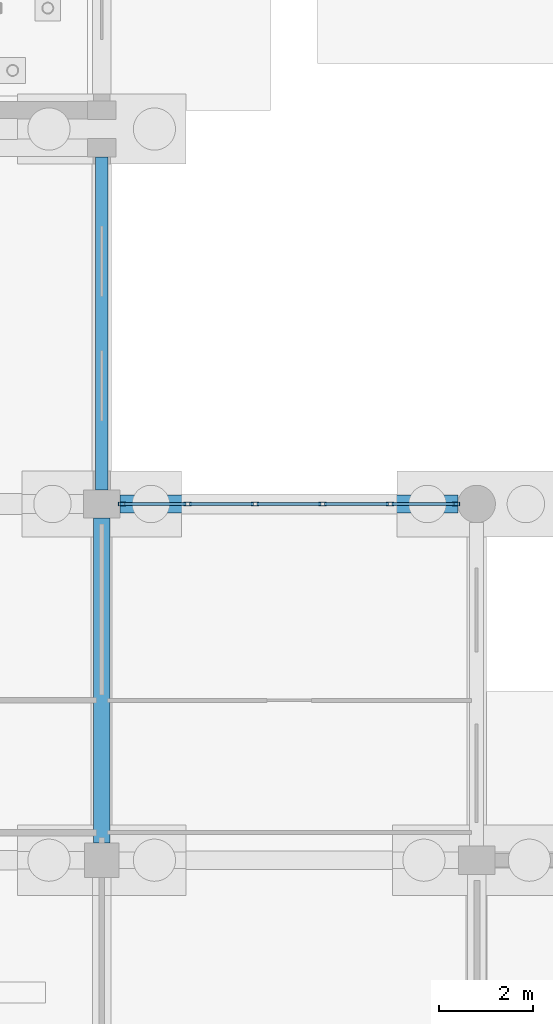
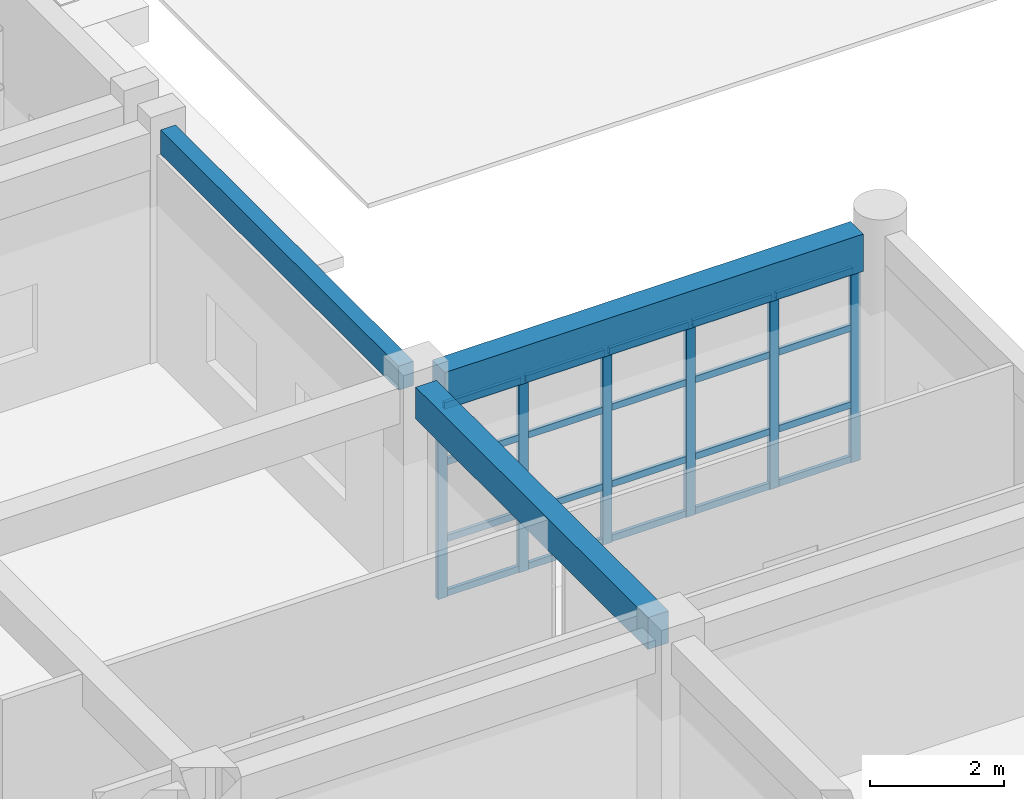
# One storey, part 54 of 166: 26 members, 3 beams, 1 element without a shape of its own.
"""IFC4 building model written with IfcOpenShell, lengths in metres."""

import ifcopenshell
import ifcopenshell.guid

model = None  # the IFC model being written
_history = None  # IfcOwnerHistory: only IFC2X3 demands one
_inside = {}  # id of a spatial element -> (the spatial element, [elements in it])
_under = {}  # id of a project, library or spatial element -> (it, [spatial elements below it])
_declared = {}  # id of a project -> (the project, [libraries it declares])
_typed = {}  # id of a type object -> (the type object, [elements of that type])
_made_of = {}  # id of a material, layer set ... -> (it, [elements and type objects made of it])


def new_model(schema):
    """Start an empty IFC model of exactly this schema.

    Asked for "IFC4X3", IfcOpenShell would pick the latest addendum, in which some entities
    have other attributes; the version numbers below select the first issue.
    IFC2X3 requires an IfcOwnerHistory on every rooted entity: one is made here for all.
    """
    global model, _history
    if schema == "IFC4X3":
        model = ifcopenshell.file(schema_version=(4, 3, 0, 0))
    else:
        model = ifcopenshell.file(schema=schema)
    _inside.clear()
    _under.clear()
    _declared.clear()
    _typed.clear()
    _made_of.clear()
    _history = None
    if model.schema == "IFC2X3":
        org = make("IfcOrganization", Name="unknown")
        user = make(
            "IfcPersonAndOrganization",
            ThePerson=make("IfcPerson", FamilyName="unknown"),
            TheOrganization=org,
        )
        app = make(
            "IfcApplication",
            ApplicationDeveloper=org,
            Version="unknown",
            ApplicationFullName="unknown",
            ApplicationIdentifier="unknown",
        )
        _history = make(
            "IfcOwnerHistory",
            OwningUser=user,
            OwningApplication=app,
            ChangeAction="ADDED",
            CreationDate=0,
        )
    return model


def make(cls, **values):
    """One entity of the class cls with the attributes given. An attribute that is None is left unset."""
    return model.create_entity(
        cls, **{name: value for name, value in values.items() if value is not None}
    )


def rooted(cls, **values):
    """An entity with a GlobalId (a new one), such as an element, a storey or a relation."""
    return make(cls, GlobalId=ifcopenshell.guid.new(), OwnerHistory=_history, **values)


def si_unit(unit_type, name, prefix=None):
    """IfcSIUnit, for example si_unit("LENGTHUNIT", "METRE", prefix="MILLI")."""
    return make("IfcSIUnit", UnitType=unit_type, Prefix=prefix, Name=name)


def assignment(units):
    """IfcUnitAssignment: the units of a project."""
    return None if units is None else make("IfcUnitAssignment", Units=units)


def point(xyz):
    """IfcCartesianPoint."""
    return None if xyz is None else make("IfcCartesianPoint", Coordinates=xyz)


def direction(xyz):
    """IfcDirection."""
    return None if xyz is None else make("IfcDirection", DirectionRatios=xyz)


def frame(location, z_axis=None, x_axis=None):
    """IfcAxis2Placement3D, a coordinate frame: its origin and axes. An axis left out is left unset."""
    return make(
        "IfcAxis2Placement3D",
        Location=point(location),
        Axis=direction(z_axis),
        RefDirection=direction(x_axis),
    )


def frame_2d(location, x_axis=None):
    """IfcAxis2Placement2D, a coordinate frame in the plane: its origin and x axis."""
    return make(
        "IfcAxis2Placement2D", Location=point(location), RefDirection=direction(x_axis)
    )


def origin():
    """The frame at (0, 0, 0) with its axes left unset."""
    return frame((0.0, 0.0, 0.0))


def origin_2d():
    """The frame at (0, 0) in the plane with its x axis left unset."""
    return frame_2d((0.0, 0.0))


def place(relative_to, where):
    """IfcLocalPlacement: puts the frame where relative to a parent placement (None: the world)."""
    return make(
        "IfcLocalPlacement", PlacementRelTo=relative_to, RelativePlacement=where
    )


def context(
    kind, dimensions, precision=None, world=None, true_north=None, identifier=None
):
    """IfcGeometricRepresentationContext, for example the 3D "Model" context."""
    return make(
        "IfcGeometricRepresentationContext",
        ContextIdentifier=identifier,
        ContextType=kind,
        CoordinateSpaceDimension=dimensions,
        Precision=precision,
        WorldCoordinateSystem=world,
        TrueNorth=true_north,
    )


def subcontext(parent, identifier, kind, view, scale=None):
    """IfcGeometricRepresentationSubContext, for example "Body" below "Model"."""
    return make(
        "IfcGeometricRepresentationSubContext",
        ContextIdentifier=identifier,
        ContextType=kind,
        ParentContext=parent,
        TargetScale=scale,
        TargetView=view,
    )


def project(units=None, contexts=None):
    """IfcProject with its units and contexts."""
    return rooted(
        "IfcProject",
        Name="project",
        RepresentationContexts=contexts,
        UnitsInContext=assignment(units),
    )


def spatial(cls, under=None, at=None, **own):
    """A site, building, storey or space (cls), placed at a placement, below another one or the project."""
    s = rooted(cls, ObjectPlacement=at, **own)
    if under is not None:
        _under.setdefault(under.id(), (under, []))[1].append(s)
    return s


def profile(cls, at=None, kind="AREA", **sizes):
    """A parametric profile (cls). Its sizes go by their IFC names, for example OverallWidth=200.0."""
    return make(cls, ProfileType=kind, Position=at, **sizes)


def rectangle(**sizes):
    """IfcRectangleProfileDef."""
    return profile("IfcRectangleProfileDef", **sizes)


def hollow_rectangle(**sizes):
    """IfcRectangleHollowProfileDef."""
    return profile("IfcRectangleHollowProfileDef", **sizes)


def extrude(swept, where, along, depth):
    """IfcExtrudedAreaSolid: the profile swept, set in the frame where, extruded along a direction by depth."""
    return make(
        "IfcExtrudedAreaSolid",
        SweptArea=swept,
        Position=where,
        ExtrudedDirection=direction(along),
        Depth=depth,
    )


def shape(context_of_items, identifier, shape_type, items):
    """IfcShapeRepresentation: the items that make up one representation, for example the "Body"."""
    return make(
        "IfcShapeRepresentation",
        ContextOfItems=context_of_items,
        RepresentationIdentifier=identifier,
        RepresentationType=shape_type,
        Items=items,
    )


def material(Name=None, Category=None):
    """IfcMaterial."""
    return make("IfcMaterial", Name=Name, Category=Category)


def material_profile(
    of_material, cross_section, Name=None, Category=None, Priority=None
):
    """IfcMaterialProfile: a cross section and its material."""
    return make(
        "IfcMaterialProfile",
        Name=Name,
        Material=of_material,
        Profile=cross_section,
        Priority=Priority,
        Category=Category,
    )


def profile_set(profiles, Name=None, composite=None):
    """IfcMaterialProfileSet."""
    return make(
        "IfcMaterialProfileSet",
        Name=Name,
        MaterialProfiles=profiles,
        CompositeProfile=composite,
    )


def made_of(thing, what):
    """Note that an element or type object is made of a material, layer set ...; save() writes the relation."""
    if what is not None:
        _made_of.setdefault(what.id(), (what, []))[1].append(thing)
    return thing


def type_object(cls, material=None, **own):
    """A type object (cls), such as IfcWallType, which elements share."""
    return made_of(rooted(cls, **own), material)


def element(
    cls,
    number,
    at=None,
    inside=None,
    cuts=None,
    type_object=None,
    material=None,
    context=None,
    identifier="Body",
    shape_type=None,
    held_by="IfcProductDefinitionShape",
    body=None,
    shapes=None,
    **own,
):
    """One element of the class cls, such as IfcWall. Its Tag is "e" and its number.

    at: its placement. inside: the storey or other place that contains it. cuts: it is an
    opening in that element (IfcRelVoidsElement). A single representation is given by context,
    identifier, shape_type and body (its items); several are given by shapes. held_by: the class
    of the entity that holds the representations. save() writes the other relations.
    """
    e = rooted(cls, Tag="e%d" % number, ObjectPlacement=at, **own)
    if body is not None:
        shapes = [shape(context, identifier, shape_type, body)]
    if shapes is not None:
        e.Representation = make(held_by, Representations=shapes)
    if inside is not None:
        _inside.setdefault(inside.id(), (inside, []))[1].append(e)
    if cuts is not None:
        rooted(
            "IfcRelVoidsElement", RelatingBuildingElement=cuts, RelatedOpeningElement=e
        )
    if type_object is not None:
        _typed.setdefault(type_object.id(), (type_object, []))[1].append(e)
    return made_of(e, material)


def aggregate(whole, parts):
    """IfcRelAggregates: a whole, such as a stair, and the parts it consists of."""
    return rooted("IfcRelAggregates", RelatingObject=whole, RelatedObjects=parts)


def save(model, path):
    """Write the relations noted so far, then the file.

    IfcRelAggregates (storeys below a building ...), IfcRelContainedInSpatialStructure (elements
    in a storey), IfcRelDefinesByType, IfcRelAssociatesMaterial and IfcRelDeclares: one each for
    every whole, place, type object, material and project.
    """
    for whole, parts in _under.values():
        aggregate(whole, parts)
    for where, things in _inside.values():
        rooted(
            "IfcRelContainedInSpatialStructure",
            RelatedElements=things,
            RelatingStructure=where,
        )
    for kind, things in _typed.values():
        rooted("IfcRelDefinesByType", RelatedObjects=things, RelatingType=kind)
    for what, things in _made_of.values():
        rooted("IfcRelAssociatesMaterial", RelatedObjects=things, RelatingMaterial=what)
    for by, libraries in _declared.values():
        rooted("IfcRelDeclares", RelatingContext=by, RelatedDefinitions=libraries)
    model.write(path)


model = new_model("IFC4")

# Units and contexts
model_context = context("Model", 3, precision=1e-05, world=origin(), true_north=direction((0.0, 1.0)))
body_context = subcontext(model_context, "Body", "Model", "MODEL_VIEW")
ifc_project = project(units=[si_unit("LENGTHUNIT", "METRE"), si_unit("AREAUNIT", "SQUARE_METRE"), si_unit("VOLUMEUNIT", "CUBIC_METRE"), si_unit("PLANEANGLEUNIT", "RADIAN"), si_unit("MASSUNIT", "GRAM", prefix="KILO")], contexts=[model_context])

# Site, building, storey
site_placement = place(None, origin())
site = spatial("IfcSite", under=ifc_project, at=site_placement, CompositionType="ELEMENT")
building_placement = place(site_placement, origin())
building = spatial("IfcBuilding", under=site, at=building_placement, Name="Kharva Crest Polytechnic", CompositionType="ELEMENT")
storey_placement = place(building_placement, origin())
storey = spatial("IfcBuildingStorey", under=building, at=storey_placement, Name="L00", CompositionType="ELEMENT", Elevation=0.0)

# Beam
ifc_material_1 = material(Name="Concrete C35/45", Category="concrete")
ifc_material_profile_1 = material_profile(ifc_material_1, rectangle(XDim=0.360107421875, YDim=0.580078125, at=origin_2d()), Name="RECT 360 X 580")
ifc_profile_set_1 = profile_set([ifc_material_profile_1], Name="Concrete C35/45")
beam_type_1 = type_object("IfcBeamType", Name="BM-RC-360X580", PredefinedType="BEAM", material=ifc_profile_set_1)
beam_1_placement = place(storey_placement, frame((48.0, 23.169921875, 3.929931640625), z_axis=(0.0, 1.0, 0.0), x_axis=(-1.0, 0.0, 0.0)))
element("IfcBeam", 1, at=beam_1_placement, inside=storey, type_object=beam_type_1, Name="L00 Girder 7/D-E", PredefinedType="BEAM", context=body_context, shape_type="SweptSolid", body=[
    extrude(rectangle(XDim=0.360107421875, YDim=0.580078125, at=origin_2d()), origin(), (0.0, 0.0, 1.0), 6.93017578125),
])

# Curtain wall, members
ifc_material_2 = material(Name="Tempered insulated glass", Category="glass")
curtain_wall_type = type_object("IfcCurtainWallType", Name="CW-SYS-COURT", PredefinedType="USERDEFINED", material=ifc_material_2)
curtain_wall_placement = place(storey_placement, origin())
curtain_wall = element("IfcCurtainWall", 2, at=curtain_wall_placement, inside=storey, type_object=curtain_wall_type, Name="L00 Glazed Curtain Wall CW-001", ObjectType="CURTAIN WALL", PredefinedType="USERDEFINED")
ifc_material_3 = material(Name="Steel S355", Category="steel")
ifc_material_profile_2 = material_profile(ifc_material_3, hollow_rectangle(XDim=0.080078125, YDim=0.159912109375, WallThickness=0.0048828125, at=origin_2d()), Name="RHS 160X80X5.0")
ifc_profile_set_2 = profile_set([ifc_material_profile_2], Name="Steel S355")
member_type_1 = type_object("IfcMemberType", Name="CWM-RHS160X80", PredefinedType="MULLION", material=ifc_profile_set_2)
member_1_placement = place(storey_placement, frame((55.554931640625, 30.39990234375, 0.0), z_axis=(0.0, 0.0, 1.0), x_axis=(0.0, -1.0, 0.0)))
member_1 = element("IfcMember", 3, at=member_1_placement, type_object=member_type_1, Name="CW-001 mullion 1", PredefinedType="MULLION", context=body_context, shape_type="SweptSolid", body=[
    extrude(hollow_rectangle(XDim=0.080078125, YDim=0.159912109375, WallThickness=0.0048828125, at=origin_2d()), origin(), (0.0, 0.0, 1.0), 3.5400390625),
])
member_2_placement = place(storey_placement, frame((54.155029296875, 30.39990234375, 0.0), z_axis=(0.0, 0.0, 1.0), x_axis=(0.0, -1.0, 0.0)))
member_2 = element("IfcMember", 4, at=member_2_placement, type_object=member_type_1, Name="CW-001 mullion 2", PredefinedType="MULLION", context=body_context, shape_type="SweptSolid", body=[
    extrude(hollow_rectangle(XDim=0.080078125, YDim=0.159912109375, WallThickness=0.0048828125, at=origin_2d()), origin(), (0.0, 0.0, 1.0), 3.5400390625),
])
member_3_placement = place(storey_placement, frame((52.715087890625, 30.39990234375, 0.0), z_axis=(0.0, 0.0, 1.0), x_axis=(0.0, -1.0, 0.0)))
member_3 = element("IfcMember", 5, at=member_3_placement, type_object=member_type_1, Name="CW-001 mullion 3", PredefinedType="MULLION", context=body_context, shape_type="SweptSolid", body=[
    extrude(hollow_rectangle(XDim=0.080078125, YDim=0.159912109375, WallThickness=0.0048828125, at=origin_2d()), origin(), (0.0, 0.0, 1.0), 3.5400390625),
])
member_4_placement = place(storey_placement, frame((51.27490234375, 30.39990234375, 0.0), z_axis=(0.0, 0.0, 1.0), x_axis=(0.0, -1.0, 0.0)))
member_4 = element("IfcMember", 6, at=member_4_placement, type_object=member_type_1, Name="CW-001 mullion 4", PredefinedType="MULLION", context=body_context, shape_type="SweptSolid", body=[
    extrude(hollow_rectangle(XDim=0.080078125, YDim=0.159912109375, WallThickness=0.0048828125, at=origin_2d()), origin(), (0.0, 0.0, 1.0), 3.5400390625),
])
member_5_placement = place(storey_placement, frame((49.8349609375, 30.39990234375, 0.0), z_axis=(0.0, 0.0, 1.0), x_axis=(0.0, -1.0, 0.0)))
member_5 = element("IfcMember", 7, at=member_5_placement, type_object=member_type_1, Name="CW-001 mullion 5", PredefinedType="MULLION", context=body_context, shape_type="SweptSolid", body=[
    extrude(hollow_rectangle(XDim=0.080078125, YDim=0.159912109375, WallThickness=0.0048828125, at=origin_2d()), origin(), (0.0, 0.0, 1.0), 3.5400390625),
])
member_6_placement = place(storey_placement, frame((48.43505859375, 30.39990234375, 0.0), z_axis=(0.0, 0.0, 1.0), x_axis=(0.0, -1.0, 0.0)))
member_6 = element("IfcMember", 8, at=member_6_placement, type_object=member_type_1, Name="CW-001 mullion 6", PredefinedType="MULLION", context=body_context, shape_type="SweptSolid", body=[
    extrude(hollow_rectangle(XDim=0.080078125, YDim=0.159912109375, WallThickness=0.0048828125, at=origin_2d()), origin(), (0.0, 0.0, 1.0), 3.5400390625),
])
ifc_material_profile_3 = material_profile(ifc_material_3, hollow_rectangle(XDim=0.06005859375, YDim=0.1201171875, WallThickness=0.00390625, at=origin_2d()), Name="RHS 120X60X4.0")
ifc_profile_set_3 = profile_set([ifc_material_profile_3], Name="Steel S355")
member_type_2 = type_object("IfcMemberType", Name="CWT-RHS120X60", PredefinedType="USERDEFINED", material=ifc_profile_set_3)
member_7_placement = place(storey_placement, frame((55.514892578125, 30.39990234375, 0.06005859375), z_axis=(-1.0, 0.0, 0.0), x_axis=(0.0, -1.0, 0.0)))
member_7 = element("IfcMember", 9, at=member_7_placement, type_object=member_type_2, Name="CW-001 transom 1.1", ObjectType="TRANSOM", PredefinedType="USERDEFINED", context=body_context, shape_type="SweptSolid", body=[
    extrude(hollow_rectangle(XDim=0.06005859375, YDim=0.1201171875, WallThickness=0.00390625, at=origin_2d()), origin(), (0.0, 0.0, 1.0), 1.31982421875),
])
member_8_placement = place(storey_placement, frame((55.514892578125, 30.39990234375, 1.050048828125), z_axis=(-1.0, 0.0, 0.0), x_axis=(0.0, -1.0, 0.0)))
member_8 = element("IfcMember", 10, at=member_8_placement, type_object=member_type_2, Name="CW-001 transom 1.2", ObjectType="TRANSOM", PredefinedType="USERDEFINED", context=body_context, shape_type="SweptSolid", body=[
    extrude(hollow_rectangle(XDim=0.06005859375, YDim=0.1201171875, WallThickness=0.00390625, at=origin_2d()), origin(), (0.0, 0.0, 1.0), 1.31982421875),
])
member_9_placement = place(storey_placement, frame((55.514892578125, 30.39990234375, 2.449951171875), z_axis=(-1.0, 0.0, 0.0), x_axis=(0.0, -1.0, 0.0)))
member_9 = element("IfcMember", 11, at=member_9_placement, type_object=member_type_2, Name="CW-001 transom 1.3", ObjectType="TRANSOM", PredefinedType="USERDEFINED", context=body_context, shape_type="SweptSolid", body=[
    extrude(hollow_rectangle(XDim=0.06005859375, YDim=0.1201171875, WallThickness=0.00390625, at=origin_2d()), origin(), (0.0, 0.0, 1.0), 1.31982421875),
])
member_10_placement = place(storey_placement, frame((55.514892578125, 30.39990234375, 3.47998046875), z_axis=(-1.0, 0.0, 0.0), x_axis=(0.0, -1.0, 0.0)))
member_10 = element("IfcMember", 12, at=member_10_placement, type_object=member_type_2, Name="CW-001 transom 1.4", ObjectType="TRANSOM", PredefinedType="USERDEFINED", context=body_context, shape_type="SweptSolid", body=[
    extrude(hollow_rectangle(XDim=0.06005859375, YDim=0.1201171875, WallThickness=0.00390625, at=origin_2d()), origin(), (0.0, 0.0, 1.0), 1.31982421875),
])
member_11_placement = place(storey_placement, frame((54.114990234375, 30.39990234375, 0.06005859375), z_axis=(-1.0, 0.0, 0.0), x_axis=(0.0, -1.0, 0.0)))
member_11 = element("IfcMember", 13, at=member_11_placement, type_object=member_type_2, Name="CW-001 transom 2.1", ObjectType="TRANSOM", PredefinedType="USERDEFINED", context=body_context, shape_type="SweptSolid", body=[
    extrude(hollow_rectangle(XDim=0.06005859375, YDim=0.1201171875, WallThickness=0.00390625, at=origin_2d()), origin(), (0.0, 0.0, 1.0), 1.360107421875),
])
member_12_placement = place(storey_placement, frame((54.114990234375, 30.39990234375, 1.050048828125), z_axis=(-1.0, 0.0, 0.0), x_axis=(0.0, -1.0, 0.0)))
member_12 = element("IfcMember", 14, at=member_12_placement, type_object=member_type_2, Name="CW-001 transom 2.2", ObjectType="TRANSOM", PredefinedType="USERDEFINED", context=body_context, shape_type="SweptSolid", body=[
    extrude(hollow_rectangle(XDim=0.06005859375, YDim=0.1201171875, WallThickness=0.00390625, at=origin_2d()), origin(), (0.0, 0.0, 1.0), 1.360107421875),
])
member_13_placement = place(storey_placement, frame((54.114990234375, 30.39990234375, 2.449951171875), z_axis=(-1.0, 0.0, 0.0), x_axis=(0.0, -1.0, 0.0)))
member_13 = element("IfcMember", 15, at=member_13_placement, type_object=member_type_2, Name="CW-001 transom 2.3", ObjectType="TRANSOM", PredefinedType="USERDEFINED", context=body_context, shape_type="SweptSolid", body=[
    extrude(hollow_rectangle(XDim=0.06005859375, YDim=0.1201171875, WallThickness=0.00390625, at=origin_2d()), origin(), (0.0, 0.0, 1.0), 1.360107421875),
])
member_14_placement = place(storey_placement, frame((54.114990234375, 30.39990234375, 3.47998046875), z_axis=(-1.0, 0.0, 0.0), x_axis=(0.0, -1.0, 0.0)))
member_14 = element("IfcMember", 16, at=member_14_placement, type_object=member_type_2, Name="CW-001 transom 2.4", ObjectType="TRANSOM", PredefinedType="USERDEFINED", context=body_context, shape_type="SweptSolid", body=[
    extrude(hollow_rectangle(XDim=0.06005859375, YDim=0.1201171875, WallThickness=0.00390625, at=origin_2d()), origin(), (0.0, 0.0, 1.0), 1.360107421875),
])
member_15_placement = place(storey_placement, frame((52.675048828125, 30.39990234375, 0.06005859375), z_axis=(-1.0, 0.0, 0.0), x_axis=(0.0, -1.0, 0.0)))
member_15 = element("IfcMember", 17, at=member_15_placement, type_object=member_type_2, Name="CW-001 transom 3.1", ObjectType="TRANSOM", PredefinedType="USERDEFINED", context=body_context, shape_type="SweptSolid", body=[
    extrude(hollow_rectangle(XDim=0.06005859375, YDim=0.1201171875, WallThickness=0.00390625, at=origin_2d()), origin(), (0.0, 0.0, 1.0), 1.360107421875),
])
member_16_placement = place(storey_placement, frame((52.675048828125, 30.39990234375, 1.050048828125), z_axis=(-1.0, 0.0, 0.0), x_axis=(0.0, -1.0, 0.0)))
member_16 = element("IfcMember", 18, at=member_16_placement, type_object=member_type_2, Name="CW-001 transom 3.2", ObjectType="TRANSOM", PredefinedType="USERDEFINED", context=body_context, shape_type="SweptSolid", body=[
    extrude(hollow_rectangle(XDim=0.06005859375, YDim=0.1201171875, WallThickness=0.00390625, at=origin_2d()), origin(), (0.0, 0.0, 1.0), 1.360107421875),
])
member_17_placement = place(storey_placement, frame((52.675048828125, 30.39990234375, 2.449951171875), z_axis=(-1.0, 0.0, 0.0), x_axis=(0.0, -1.0, 0.0)))
member_17 = element("IfcMember", 19, at=member_17_placement, type_object=member_type_2, Name="CW-001 transom 3.3", ObjectType="TRANSOM", PredefinedType="USERDEFINED", context=body_context, shape_type="SweptSolid", body=[
    extrude(hollow_rectangle(XDim=0.06005859375, YDim=0.1201171875, WallThickness=0.00390625, at=origin_2d()), origin(), (0.0, 0.0, 1.0), 1.360107421875),
])
member_18_placement = place(storey_placement, frame((52.675048828125, 30.39990234375, 3.47998046875), z_axis=(-1.0, 0.0, 0.0), x_axis=(0.0, -1.0, 0.0)))
member_18 = element("IfcMember", 20, at=member_18_placement, type_object=member_type_2, Name="CW-001 transom 3.4", ObjectType="TRANSOM", PredefinedType="USERDEFINED", context=body_context, shape_type="SweptSolid", body=[
    extrude(hollow_rectangle(XDim=0.06005859375, YDim=0.1201171875, WallThickness=0.00390625, at=origin_2d()), origin(), (0.0, 0.0, 1.0), 1.360107421875),
])
member_19_placement = place(storey_placement, frame((51.235107421875, 30.39990234375, 0.06005859375), z_axis=(-1.0, 0.0, 0.0), x_axis=(0.0, -1.0, 0.0)))
member_19 = element("IfcMember", 21, at=member_19_placement, type_object=member_type_2, Name="CW-001 transom 4.1", ObjectType="TRANSOM", PredefinedType="USERDEFINED", context=body_context, shape_type="SweptSolid", body=[
    extrude(hollow_rectangle(XDim=0.06005859375, YDim=0.1201171875, WallThickness=0.00390625, at=origin_2d()), origin(), (0.0, 0.0, 1.0), 1.360107421875),
])
member_20_placement = place(storey_placement, frame((51.235107421875, 30.39990234375, 1.050048828125), z_axis=(-1.0, 0.0, 0.0), x_axis=(0.0, -1.0, 0.0)))
member_20 = element("IfcMember", 22, at=member_20_placement, type_object=member_type_2, Name="CW-001 transom 4.2", ObjectType="TRANSOM", PredefinedType="USERDEFINED", context=body_context, shape_type="SweptSolid", body=[
    extrude(hollow_rectangle(XDim=0.06005859375, YDim=0.1201171875, WallThickness=0.00390625, at=origin_2d()), origin(), (0.0, 0.0, 1.0), 1.360107421875),
])
member_21_placement = place(storey_placement, frame((51.235107421875, 30.39990234375, 2.449951171875), z_axis=(-1.0, 0.0, 0.0), x_axis=(0.0, -1.0, 0.0)))
member_21 = element("IfcMember", 23, at=member_21_placement, type_object=member_type_2, Name="CW-001 transom 4.3", ObjectType="TRANSOM", PredefinedType="USERDEFINED", context=body_context, shape_type="SweptSolid", body=[
    extrude(hollow_rectangle(XDim=0.06005859375, YDim=0.1201171875, WallThickness=0.00390625, at=origin_2d()), origin(), (0.0, 0.0, 1.0), 1.360107421875),
])
member_22_placement = place(storey_placement, frame((51.235107421875, 30.39990234375, 3.47998046875), z_axis=(-1.0, 0.0, 0.0), x_axis=(0.0, -1.0, 0.0)))
member_22 = element("IfcMember", 24, at=member_22_placement, type_object=member_type_2, Name="CW-001 transom 4.4", ObjectType="TRANSOM", PredefinedType="USERDEFINED", context=body_context, shape_type="SweptSolid", body=[
    extrude(hollow_rectangle(XDim=0.06005859375, YDim=0.1201171875, WallThickness=0.00390625, at=origin_2d()), origin(), (0.0, 0.0, 1.0), 1.360107421875),
])
member_23_placement = place(storey_placement, frame((49.794921875, 30.39990234375, 0.06005859375), z_axis=(-1.0, 0.0, 0.0), x_axis=(0.0, -1.0, 0.0)))
member_23 = element("IfcMember", 25, at=member_23_placement, type_object=member_type_2, Name="CW-001 transom 5.1", ObjectType="TRANSOM", PredefinedType="USERDEFINED", context=body_context, shape_type="SweptSolid", body=[
    extrude(hollow_rectangle(XDim=0.06005859375, YDim=0.1201171875, WallThickness=0.00390625, at=origin_2d()), origin(), (0.0, 0.0, 1.0), 1.31982421875),
])
member_24_placement = place(storey_placement, frame((49.794921875, 30.39990234375, 1.050048828125), z_axis=(-1.0, 0.0, 0.0), x_axis=(0.0, -1.0, 0.0)))
member_24 = element("IfcMember", 26, at=member_24_placement, type_object=member_type_2, Name="CW-001 transom 5.2", ObjectType="TRANSOM", PredefinedType="USERDEFINED", context=body_context, shape_type="SweptSolid", body=[
    extrude(hollow_rectangle(XDim=0.06005859375, YDim=0.1201171875, WallThickness=0.00390625, at=origin_2d()), origin(), (0.0, 0.0, 1.0), 1.31982421875),
])
member_25_placement = place(storey_placement, frame((49.794921875, 30.39990234375, 2.449951171875), z_axis=(-1.0, 0.0, 0.0), x_axis=(0.0, -1.0, 0.0)))
member_25 = element("IfcMember", 27, at=member_25_placement, type_object=member_type_2, Name="CW-001 transom 5.3", ObjectType="TRANSOM", PredefinedType="USERDEFINED", context=body_context, shape_type="SweptSolid", body=[
    extrude(hollow_rectangle(XDim=0.06005859375, YDim=0.1201171875, WallThickness=0.00390625, at=origin_2d()), origin(), (0.0, 0.0, 1.0), 1.31982421875),
])
member_26_placement = place(storey_placement, frame((49.794921875, 30.39990234375, 3.47998046875), z_axis=(-1.0, 0.0, 0.0), x_axis=(0.0, -1.0, 0.0)))
member_26 = element("IfcMember", 28, at=member_26_placement, type_object=member_type_2, Name="CW-001 transom 5.4", ObjectType="TRANSOM", PredefinedType="USERDEFINED", context=body_context, shape_type="SweptSolid", body=[
    extrude(hollow_rectangle(XDim=0.06005859375, YDim=0.1201171875, WallThickness=0.00390625, at=origin_2d()), origin(), (0.0, 0.0, 1.0), 1.31982421875),
])
aggregate(curtain_wall, [member_1, member_2, member_3, member_4, member_5, member_6, member_7, member_8, member_9, member_10, member_11, member_12, member_13, member_14, member_15, member_16, member_17, member_18, member_19, member_20, member_21, member_22, member_23, member_24, member_25, member_26])

# Beams
ifc_material_profile_4 = material_profile(ifc_material_1, rectangle(XDim=0.260009765625, YDim=0.43994140625, at=origin_2d()), Name="RECT 260 X 440")
ifc_profile_set_4 = profile_set([ifc_material_profile_4], Name="Concrete C35/45")
beam_type_2 = type_object("IfcBeamType", Name="SP-RC-260X440", PredefinedType="SPANDREL", material=ifc_profile_set_4)
beam_2_placement = place(storey_placement, frame((48.0, 30.699951171875, 4.0), z_axis=(0.0, 1.0, 0.0), x_axis=(-1.0, 0.0, 0.0)))
element("IfcBeam", 29, at=beam_2_placement, inside=storey, type_object=beam_type_2, Name="L00 Girder 7/E-F", PredefinedType="SPANDREL", context=body_context, shape_type="SweptSolid", body=[
    extrude(rectangle(XDim=0.260009765625, YDim=0.43994140625, at=origin_2d()), origin(), (0.0, 0.0, 1.0), 7.10009765625),
])
ifc_material_profile_5 = material_profile(ifc_material_1, rectangle(XDim=0.3798828125, YDim=0.679931640625, at=origin_2d()), Name="RECT 380 X 680")
ifc_profile_set_5 = profile_set([ifc_material_profile_5], Name="Concrete C35/45")
beam_type_3 = type_object("IfcBeamType", Name="SP-RC-380X680", PredefinedType="SPANDREL", material=ifc_profile_set_5)
beam_3_placement = place(storey_placement, frame((48.389892578125, 30.39990234375, 3.8798828125), z_axis=(1.0, 0.0, 0.0), x_axis=(0.0, 1.0, 0.0)))
element("IfcBeam", 30, at=beam_3_placement, inside=storey, type_object=beam_type_3, Name="L00 Beam E/7-8", PredefinedType="SPANDREL", context=body_context, shape_type="SweptSolid", body=[
    extrude(rectangle(XDim=0.3798828125, YDim=0.679931640625, at=origin_2d()), origin(), (0.0, 0.0, 1.0), 7.210205078125),
])

save(model, "model.ifc")
